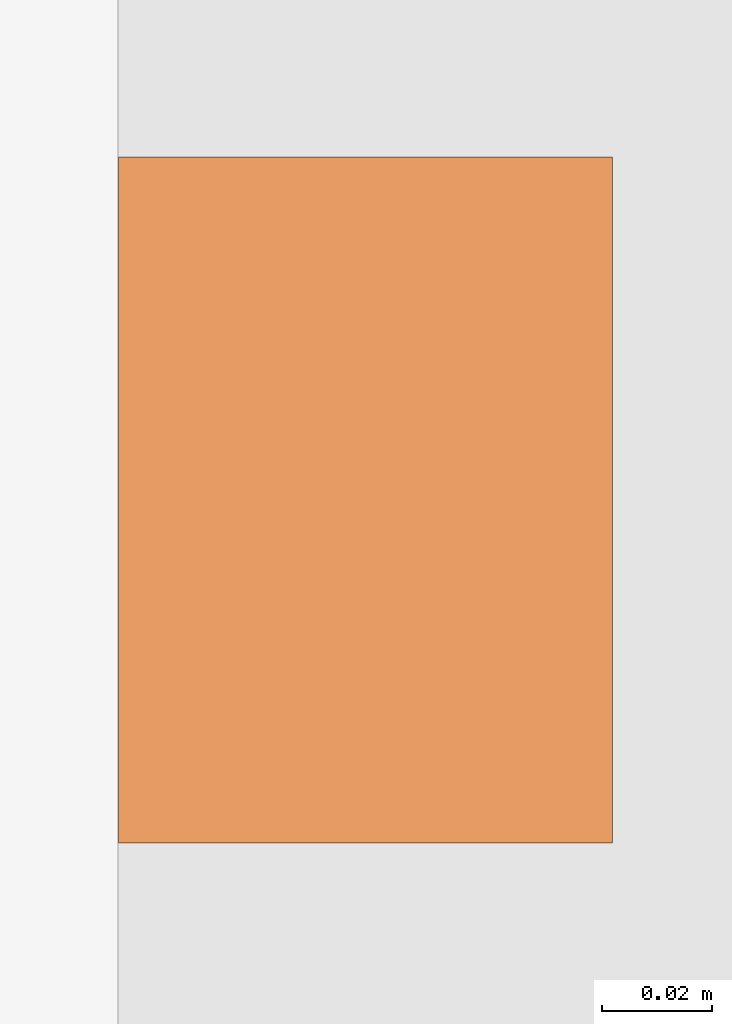
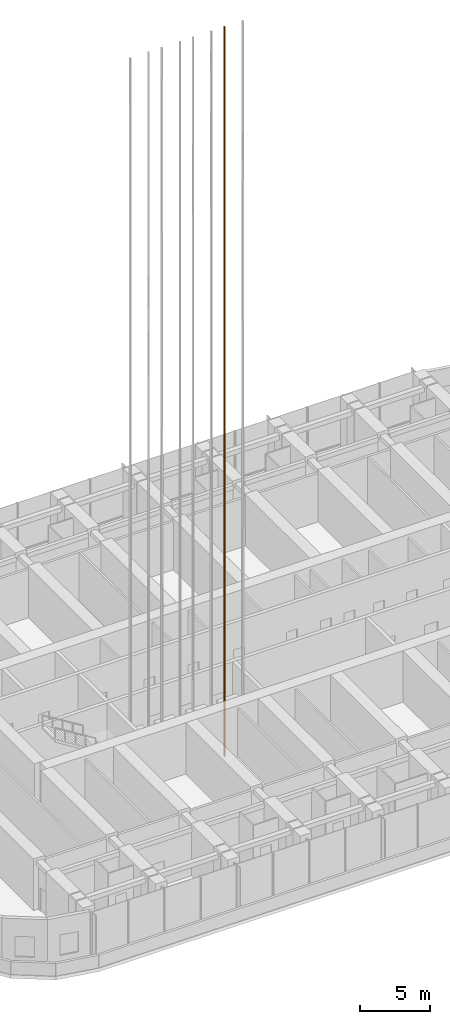
# One storey, part 30 of 31: 1 proxy.
"""IFC4 building model written with IfcOpenShell, lengths in metres."""

from ifc_helpers import new_model, si_unit, direction, frame, origin, origin_2d, place, context, subcontext, project, spatial, rectangle, extrude, material, element, save


model = new_model("IFC4")

# Units and contexts
model_context = context("Model", 3, precision=1e-05, world=origin(), true_north=direction((0.0, 1.0)))
body_context = subcontext(model_context, "Body", "Model", "MODEL_VIEW")
ifc_project = project(units=[si_unit("LENGTHUNIT", "METRE"), si_unit("AREAUNIT", "SQUARE_METRE"), si_unit("VOLUMEUNIT", "CUBIC_METRE"), si_unit("PLANEANGLEUNIT", "RADIAN"), si_unit("MASSUNIT", "GRAM", prefix="KILO")], contexts=[model_context])

# Site, building, storey
site_placement = place(None, origin())
site = spatial("IfcSite", under=ifc_project, at=site_placement, CompositionType="ELEMENT")
building_placement = place(site_placement, origin())
building = spatial("IfcBuilding", under=site, at=building_placement, Name="Orbita Commons", CompositionType="ELEMENT")
storey_placement = place(building_placement, frame((0.0, 0.0, 76.14990234375)))
storey = spatial("IfcBuildingStorey", under=building, at=storey_placement, Name="L18", CompositionType="ELEMENT", Elevation=76.14990234375)

# Proxy
ifc_material = material(Name="Machined steel guide rail", Category="steel")
placement = place(storey_placement, frame((35.10009765625, 28.10009765625, 0.0), z_axis=(0.0, 0.0, 1.0), x_axis=(1.0, 0.0, 0.0)))
proxy_placement = place(placement, frame((-0.7548828125, 0.0, -1.800048828125)))
element("IfcBuildingElementProxy", 1, at=proxy_placement, inside=storey, material=ifc_material, Name="P24 guide rail 1", ObjectType="GUIDE RAIL", PredefinedType="USERDEFINED", context=body_context, shape_type="SweptSolid", body=[
    extrude(rectangle(XDim=0.09, YDim=0.125, at=origin_2d()), origin(), (0.0, 0.0, 1.0), 63.89990234375),
])

save(model, "model.ifc")
